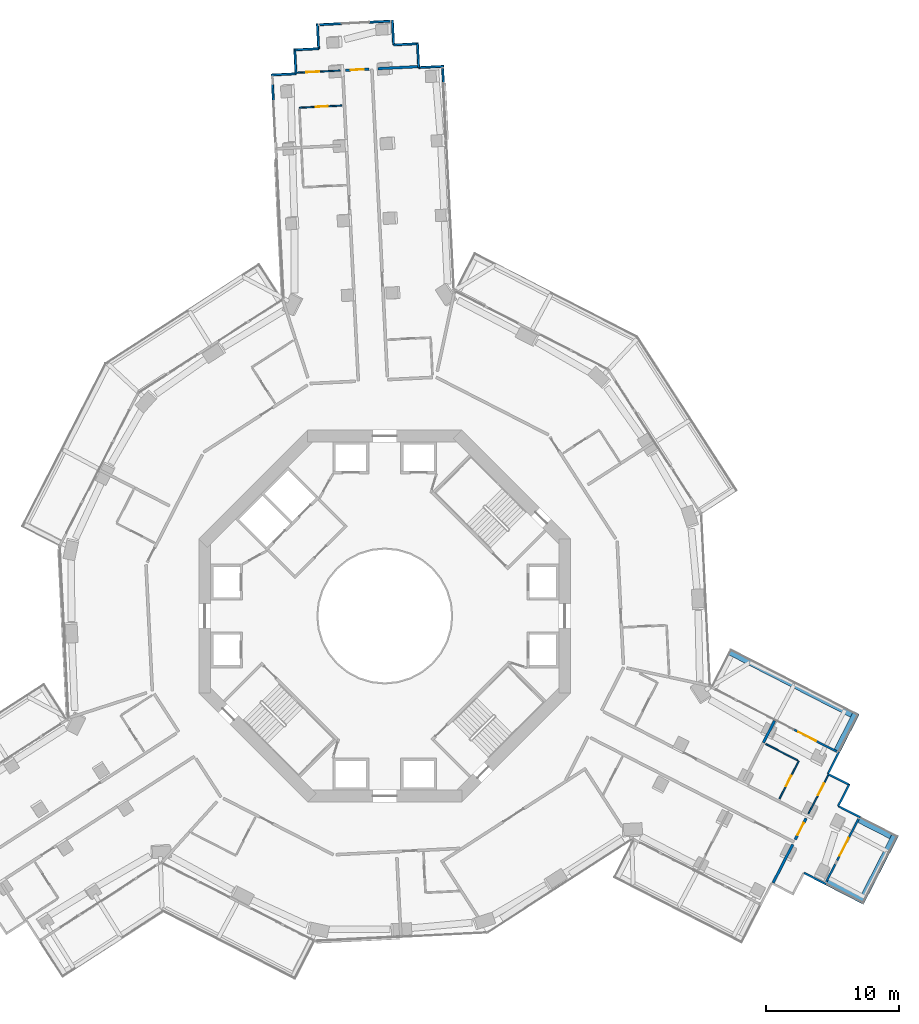
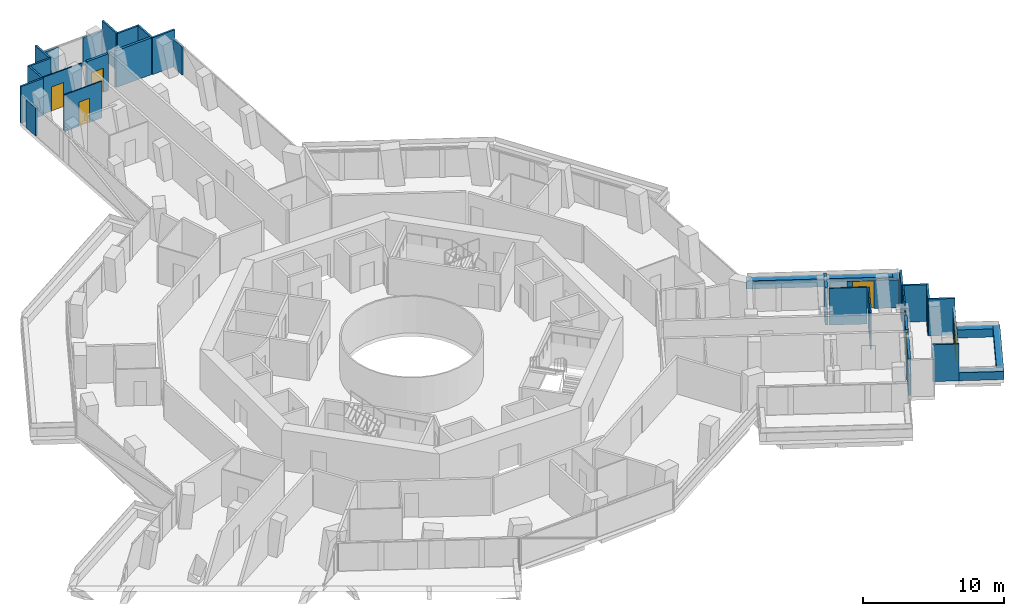
# One storey, part 22 of 25: 35 walls, 8 doors, 8 openings.
"""IFC4 building model written with IfcOpenShell, lengths in metres."""

from ifc_helpers import new_model, si_unit, direction, frame, frame_2d, origin, place, context, subcontext, project, spatial, rectangle, extrude, material, layer, layer_set, type_object, element, fill, save


model = new_model("IFC4")

# Units and contexts
model_context = context("Model", 3, precision=1e-05, world=origin(), true_north=direction((0.0, 1.0)))
body_context = subcontext(model_context, "Body", "Model", "MODEL_VIEW")
ifc_project = project(units=[si_unit("LENGTHUNIT", "METRE"), si_unit("AREAUNIT", "SQUARE_METRE"), si_unit("VOLUMEUNIT", "CUBIC_METRE"), si_unit("PLANEANGLEUNIT", "RADIAN"), si_unit("MASSUNIT", "GRAM", prefix="KILO")], contexts=[model_context])

# Site, building, storey
site_placement = place(None, origin())
site = spatial("IfcSite", under=ifc_project, at=site_placement, CompositionType="ELEMENT")
building_placement = place(site_placement, origin())
building = spatial("IfcBuilding", under=site, at=building_placement, Name="Verdalira Terraces Hotel", CompositionType="ELEMENT")
storey_placement = place(building_placement, frame((0.0, 0.0, 46.0)))
storey = spatial("IfcBuildingStorey", under=building, at=storey_placement, Name="L09", CompositionType="ELEMENT", Elevation=46.0)

# Walls
ifc_material_1 = material(Name="Concrete C40", Category="concrete")
ifc_layer_1 = layer(ifc_material_1, 0.5)
ifc_layer_set_1 = layer_set([ifc_layer_1], Name="Balcony planter trough with tree")
wall_type_1 = type_object("IfcWallType", Name="Balcony planter trough with tree", PredefinedType="SOLIDWALL", material=ifc_layer_set_1)
wall_1_placement = place(storey_placement, frame((33.307861, -20.036621, 0.0), z_axis=(0.0, 0.0, 1.0), x_axis=(0.890050162, -0.455862598, 0.0)))
element("IfcWall", 1, at=wall_1_placement, inside=storey, type_object=wall_type_1, Name="Balcony planter", PredefinedType="SOLIDWALL", context=body_context, shape_type="SweptSolid", body=[
    extrude(rectangle(XDim=3.198975, YDim=0.5, at=frame_2d((1.599609, 0.0))), origin(), (0.0, 0.0, 1.0), 0.699951),
])
wall_2_placement = place(storey_placement, frame((36.046631, -21.158203, 0.0), z_axis=(0.0, 0.0, 1.0), x_axis=(0.455852729, 0.890055217, 0.0)))
element("IfcWall", 2, at=wall_2_placement, inside=storey, type_object=wall_type_1, Name="Balcony planter", PredefinedType="SOLIDWALL", context=body_context, shape_type="SweptSolid", body=[
    extrude(rectangle(XDim=5.300049, YDim=0.5, at=frame_2d((2.649902, 0.0))), origin(), (0.0, 0.0, 1.0), 0.699951),
])
wall_3_placement = place(storey_placement, frame((38.126221, -16.549561, 0.0), z_axis=(0.0, 0.0, 1.0), x_axis=(-0.890080064, 0.455804212, 0.0)))
element("IfcWall", 3, at=wall_3_placement, inside=storey, type_object=wall_type_1, Name="Balcony planter", PredefinedType="SOLIDWALL", context=body_context, shape_type="SweptSolid", body=[
    extrude(rectangle(XDim=2.698975, YDim=0.5, at=frame_2d((1.349609, 0.0))), origin(), (0.0, 0.0, 1.0), 0.699951),
])
wall_4_placement = place(storey_placement, frame((34.051758, -10.13623, 0.0), z_axis=(0.0, 0.0, 1.0), x_axis=(0.455831634, 0.890066021, 0.0)))
element("IfcWall", 4, at=wall_4_placement, inside=storey, type_object=wall_type_1, Name="Balcony planter", PredefinedType="SOLIDWALL", context=body_context, shape_type="SweptSolid", body=[
    extrude(rectangle(XDim=3.199219, YDim=0.5, at=frame_2d((1.599609, 0.0))), origin(), (0.0, 0.0, 1.0), 0.699951),
])
wall_5_placement = place(storey_placement, frame((35.173584, -7.397461, 0.0), z_axis=(0.0, 0.0, 1.0), x_axis=(-0.890045915, 0.45587089, 0.0)))
element("IfcWall", 5, at=wall_5_placement, inside=storey, type_object=wall_type_1, Name="Balcony planter", PredefinedType="SOLIDWALL", context=body_context, shape_type="SweptSolid", body=[
    extrude(rectangle(XDim=10.420166, YDim=0.5, at=frame_2d((5.209961, 0.0))), origin(), (0.0, 0.0, 1.0), 0.699951),
])

# Wall, opening, door
ifc_material_2 = material(Name="Moisture-resistant gypsum board partition")
ifc_layer_2 = layer(ifc_material_2, 0.10009765625)
ifc_layer_set_2 = layer_set([ifc_layer_2], Name="Bathroom partition 100 mm")
wall_type_2 = type_object("IfcWallType", Name="Bathroom partition 100 mm", PredefinedType="PARTITIONING", material=ifc_layer_set_2)
wall_6_placement = place(storey_placement, frame((-3.367188, 41.061279, 0.0), z_axis=(0.0, 0.0, 1.0), x_axis=(-0.998734302, -0.050297052, 0.0)))
wall_6 = element("IfcWall", 6, at=wall_6_placement, inside=storey, type_object=wall_type_2, Name="Bathroom partition", PredefinedType="PARTITIONING", context=body_context, shape_type="SweptSolid", body=[
    extrude(rectangle(XDim=3.252197, YDim=0.100098, at=frame_2d((1.625977, 0.0))), origin(), (0.0, 0.0, 1.0), 3.189941),
])
opening_1_placement = place(wall_6_placement, frame((1.550049, 0.0, 0.0)))
opening_1 = element("IfcOpeningElement", 7, at=opening_1_placement, cuts=wall_6, Name="Opening L09-104", PredefinedType="OPENING", context=body_context, shape_type="SweptSolid", body=[
    extrude(rectangle(XDim=1.0, YDim=2.100098, at=frame_2d((0.5, 1.050049))), frame((0.0, 0.060059, 0.0), z_axis=(0.0, -1.0, 0.0), x_axis=(1.0, 0.0, 0.0)), (0.0, 0.0, 1.0), 0.120117),
])
ifc_material_3 = material(Name="Timber door", Category="wood")
door_type_1 = type_object("IfcDoorType", Name="Suite internal door 1000 x 2100", OperationType="NOTDEFINED", PredefinedType="DOOR", material=ifc_material_3)
door_1_placement = place(opening_1_placement, origin())
door_1 = element("IfcDoor", 8, at=door_1_placement, inside=storey, type_object=door_type_1, Name="Suite internal door 0902", OperationType="SINGLE_SWING_LEFT", OverallHeight=2.10009765625, OverallWidth=1.0, PredefinedType="DOOR", context=body_context, shape_type="SweptSolid", body=[
    extrude(rectangle(XDim=1.0, YDim=2.100098, at=frame_2d((0.5, 1.050049))), frame((0.0, 0.024902, 0.0), z_axis=(0.0, -1.0, 0.0), x_axis=(1.0, 0.0, 0.0)), (0.0, 0.0, 1.0), 0.050049),
])
fill(opening_1, door_1)

wall_7_placement = place(storey_placement, frame((-3.234619, 38.424561, 0.0), z_axis=(0.0, 0.0, 1.0), x_axis=(-0.998735349, -0.050276266, 0.0)))
wall_7 = element("IfcWall", 9, at=wall_7_placement, inside=storey, type_object=wall_type_2, Name="Bathroom partition", PredefinedType="PARTITIONING", context=body_context, shape_type="SweptSolid", body=[
    extrude(rectangle(XDim=3.200195, YDim=0.100098, at=frame_2d((1.600098, 0.0))), origin(), (0.0, 0.0, 1.0), 3.189941),
])
opening_2_placement = place(wall_7_placement, frame((1.050049, 0.0, 0.0)))
opening_2 = element("IfcOpeningElement", 10, at=opening_2_placement, cuts=wall_7, Name="Opening L09-105", PredefinedType="OPENING", context=body_context, shape_type="SweptSolid", body=[
    extrude(rectangle(XDim=0.899902, YDim=2.100098, at=frame_2d((0.449951, 1.050049))), frame((0.0, 0.060059, 0.0), z_axis=(0.0, -1.0, 0.0), x_axis=(1.0, 0.0, 0.0)), (0.0, 0.0, 1.0), 0.120117),
])
ifc_material_4 = material(Name="Timber door", Category="wood")
door_type_2 = type_object("IfcDoorType", Name="Bathroom door 900 x 2100", OperationType="NOTDEFINED", PredefinedType="DOOR", material=ifc_material_4)
door_2_placement = place(opening_2_placement, origin())
door_2 = element("IfcDoor", 11, at=door_2_placement, inside=storey, type_object=door_type_2, Name="Bathroom door 0902", OperationType="SINGLE_SWING_RIGHT", OverallHeight=2.10009765625, OverallWidth=0.89990234375, PredefinedType="DOOR", context=body_context, shape_type="SweptSolid", body=[
    extrude(rectangle(XDim=0.899902, YDim=2.100098, at=frame_2d((0.449951, 1.050049))), frame((0.0, 0.024902, 0.0), z_axis=(0.0, -1.0, 0.0), x_axis=(1.0, 0.0, 0.0)), (0.0, 0.0, 1.0), 0.050049),
])
fill(opening_2, door_2)

# Wall
wall_8_placement = place(storey_placement, frame((31.083496, -10.864014, 0.0), z_axis=(0.0, 0.0, 1.0), x_axis=(-0.890063051, 0.455837432, 0.0)))
element("IfcWall", 12, at=wall_8_placement, inside=storey, type_object=wall_type_2, Name="Bathroom partition", PredefinedType="PARTITIONING", context=body_context, shape_type="SweptSolid", body=[
    extrude(rectangle(XDim=2.699951, YDim=0.100098, at=frame_2d((1.350098, 0.0))), origin(), (0.0, 0.0, 1.0), 3.189941),
])

# Wall, opening, door
wall_9_placement = place(storey_placement, frame((29.713867, -13.757812, 0.0), z_axis=(0.0, 0.0, 1.0), x_axis=(0.455859654, 0.89005167, 0.0)))
wall_9 = element("IfcWall", 13, at=wall_9_placement, inside=storey, type_object=wall_type_2, Name="Bathroom partition", PredefinedType="PARTITIONING", context=body_context, shape_type="SweptSolid", body=[
    extrude(rectangle(XDim=3.199951, YDim=0.100098, at=frame_2d((1.600098, 0.0))), origin(), (0.0, 0.0, 1.0), 3.189941),
])
opening_3_placement = place(wall_9_placement, frame((1.050049, 0.0, 0.0)))
opening_3 = element("IfcOpeningElement", 14, at=opening_3_placement, cuts=wall_9, Name="Opening L09-126", PredefinedType="OPENING", context=body_context, shape_type="SweptSolid", body=[
    extrude(rectangle(XDim=0.899902, YDim=2.100098, at=frame_2d((0.449951, 1.050049))), frame((0.0, 0.060059, 0.0), z_axis=(0.0, -1.0, 0.0), x_axis=(1.0, 0.0, 0.0)), (0.0, 0.0, 1.0), 0.120117),
])
door_3_placement = place(opening_3_placement, origin())
door_3 = element("IfcDoor", 15, at=door_3_placement, inside=storey, type_object=door_type_2, Name="Bathroom door 0912", OperationType="SINGLE_SWING_RIGHT", OverallHeight=2.10009765625, OverallWidth=0.89990234375, PredefinedType="DOOR", context=body_context, shape_type="SweptSolid", body=[
    extrude(rectangle(XDim=0.899902, YDim=2.100098, at=frame_2d((0.449951, 1.050049))), frame((0.0, 0.024902, 0.0), z_axis=(0.0, -1.0, 0.0), x_axis=(1.0, 0.0, 0.0)), (0.0, 0.0, 1.0), 0.050049),
])
fill(opening_3, door_3)

wall_10_placement = place(storey_placement, frame((31.90332, -14.879395, 0.0), z_axis=(0.0, 0.0, 1.0), x_axis=(0.455841057, 0.890061195, 0.0)))
wall_10 = element("IfcWall", 16, at=wall_10_placement, inside=storey, type_object=wall_type_2, Name="Bathroom partition", PredefinedType="PARTITIONING", context=body_context, shape_type="SweptSolid", body=[
    extrude(rectangle(XDim=3.251953, YDim=0.100098, at=frame_2d((1.625977, 0.0))), origin(), (0.0, 0.0, 1.0), 3.189941),
])
opening_4_placement = place(wall_10_placement, frame((1.550049, 0.0, 0.0)))
opening_4 = element("IfcOpeningElement", 17, at=opening_4_placement, cuts=wall_10, Name="Opening L09-125", PredefinedType="OPENING", context=body_context, shape_type="SweptSolid", body=[
    extrude(rectangle(XDim=1.0, YDim=2.100098, at=frame_2d((0.5, 1.050049))), frame((0.0, 0.060059, 0.0), z_axis=(0.0, -1.0, 0.0), x_axis=(1.0, 0.0, 0.0)), (0.0, 0.0, 1.0), 0.120117),
])
door_4_placement = place(opening_4_placement, origin())
door_4 = element("IfcDoor", 18, at=door_4_placement, inside=storey, type_object=door_type_1, Name="Suite internal door 0912", OperationType="SINGLE_SWING_LEFT", OverallHeight=2.10009765625, OverallWidth=1.0, PredefinedType="DOOR", context=body_context, shape_type="SweptSolid", body=[
    extrude(rectangle(XDim=1.0, YDim=2.100098, at=frame_2d((0.5, 1.050049))), frame((0.0, 0.024902, 0.0), z_axis=(0.0, -1.0, 0.0), x_axis=(1.0, 0.0, 0.0)), (0.0, 0.0, 1.0), 0.050049),
])
fill(opening_4, door_4)

# Walls
ifc_material_5 = material(Name="Fire-rated gypsum board wall")
ifc_layer_3 = layer(ifc_material_5, 0.199951171875)
ifc_layer_set_3 = layer_set([ifc_layer_3], Name="Demising wall 200 mm")
wall_type_3 = type_object("IfcWallType", Name="Demising wall 200 mm", PredefinedType="SOLIDWALL", material=ifc_layer_set_3)
wall_11_placement = place(storey_placement, frame((-0.523682, 41.204102, 0.0), z_axis=(0.0, 0.0, 1.0), x_axis=(0.998734445, 0.050294226, 0.0)))
element("IfcWall", 19, at=wall_11_placement, inside=storey, type_object=wall_type_3, Name="Demising wall", PredefinedType="SOLIDWALL", context=body_context, shape_type="SweptSolid", body=[
    extrude(rectangle(XDim=3.004883, YDim=0.199951, at=frame_2d((1.502441, 0.0))), origin(), (0.0, 0.0, 1.0), 3.189941),
])
wall_12_placement = place(storey_placement, frame((28.502197, -9.541992, 0.0), z_axis=(0.0, 0.0, 1.0), x_axis=(0.455954913, 0.890002875, 0.0)))
element("IfcWall", 20, at=wall_12_placement, inside=storey, type_object=wall_type_3, Name="Demising wall", PredefinedType="SOLIDWALL", context=body_context, shape_type="SweptSolid", body=[
    extrude(rectangle(XDim=1.850098, YDim=0.199951, at=frame_2d((0.925049, 0.0))), origin(), (0.0, 0.0, 1.0), 3.189941),
])
wall_13_placement = place(storey_placement, frame((30.718262, -17.193359, 0.0), z_axis=(0.0, 0.0, 1.0), x_axis=(-0.45587587, -0.890043365, 0.0)))
element("IfcWall", 21, at=wall_13_placement, inside=storey, type_object=wall_type_3, Name="Demising wall", PredefinedType="SOLIDWALL", context=body_context, shape_type="SweptSolid", body=[
    extrude(rectangle(XDim=3.250244, YDim=0.199951, at=frame_2d((1.625, 0.0))), origin(), (0.0, 0.0, 1.0), 3.189941),
])

# Wall, opening, door
ifc_material_6 = material(Name="Fire-rated gypsum board wall")
ifc_layer_4 = layer(ifc_material_6, 0.199951171875)
ifc_layer_set_4 = layer_set([ifc_layer_4], Name="Guest corridor wall 200 mm")
wall_type_4 = type_object("IfcWallType", Name="Guest corridor wall 200 mm", PredefinedType="SOLIDWALL", material=ifc_layer_set_4)
wall_14_placement = place(storey_placement, frame((-2.969727, 41.081299, 0.0), z_axis=(0.0, 0.0, 1.0), x_axis=(0.998742521, 0.050133596, 0.0)))
wall_14 = element("IfcWall", 22, at=wall_14_placement, inside=storey, type_object=wall_type_4, Name="Guest corridor wall", PredefinedType="SOLIDWALL", context=body_context, shape_type="SweptSolid", body=[
    extrude(rectangle(XDim=1.801758, YDim=0.199951, at=frame_2d((0.900879, 0.0))), origin(), (0.0, 0.0, 1.0), 3.189941),
])
opening_5_placement = place(wall_14_placement, frame((0.399902, 0.0, 0.0)))
opening_5 = element("IfcOpeningElement", 23, at=opening_5_placement, cuts=wall_14, Name="Opening L09-103", PredefinedType="OPENING", context=body_context, shape_type="SweptSolid", body=[
    extrude(rectangle(XDim=1.0, YDim=2.100098, at=frame_2d((0.5, 1.050049))), frame((0.0, 0.109863, 0.0), z_axis=(0.0, -1.0, 0.0), x_axis=(1.0, 0.0, 0.0)), (0.0, 0.0, 1.0), 0.219971),
])
ifc_material_7 = material(Name="Timber fire door", Category="wood")
door_type_3 = type_object("IfcDoorType", Name="Guest entry door 1000 x 2100", OperationType="NOTDEFINED", PredefinedType="DOOR", material=ifc_material_7)
door_5_placement = place(opening_5_placement, origin())
door_5 = element("IfcDoor", 24, at=door_5_placement, inside=storey, type_object=door_type_3, Name="Guest entry door 0902", OperationType="SINGLE_SWING_LEFT", OverallHeight=2.10009765625, OverallWidth=1.0, PredefinedType="DOOR", context=body_context, shape_type="SweptSolid", body=[
    extrude(rectangle(XDim=1.0, YDim=2.100098, at=frame_2d((0.5, 1.050049))), frame((0.0, 0.024902, 0.0), z_axis=(0.0, -1.0, 0.0), x_axis=(1.0, 0.0, 0.0)), (0.0, 0.0, 1.0), 0.050049),
])
fill(opening_5, door_5)

wall_15_placement = place(storey_placement, frame((31.721924, -15.233398, 0.0), z_axis=(0.0, 0.0, 1.0), x_axis=(-0.455800039, -0.890082201, 0.0)))
wall_15 = element("IfcWall", 25, at=wall_15_placement, inside=storey, type_object=wall_type_4, Name="Guest corridor wall", PredefinedType="SOLIDWALL", context=body_context, shape_type="SweptSolid", body=[
    extrude(rectangle(XDim=1.803955, YDim=0.199951, at=frame_2d((0.901855, 0.0))), origin(), (0.0, 0.0, 1.0), 3.189941),
])
opening_6_placement = place(wall_15_placement, frame((0.399902, 0.0, 0.0)))
opening_6 = element("IfcOpeningElement", 26, at=opening_6_placement, cuts=wall_15, Name="Opening L09-124", PredefinedType="OPENING", context=body_context, shape_type="SweptSolid", body=[
    extrude(rectangle(XDim=1.0, YDim=2.100098, at=frame_2d((0.5, 1.050049))), frame((0.0, 0.109863, 0.0), z_axis=(0.0, -1.0, 0.0), x_axis=(1.0, 0.0, 0.0)), (0.0, 0.0, 1.0), 0.219971),
])
door_6_placement = place(opening_6_placement, origin())
door_6 = element("IfcDoor", 27, at=door_6_placement, inside=storey, type_object=door_type_3, Name="Guest entry door 0912", OperationType="SINGLE_SWING_LEFT", OverallHeight=2.10009765625, OverallWidth=1.0, PredefinedType="DOOR", context=body_context, shape_type="SweptSolid", body=[
    extrude(rectangle(XDim=1.0, YDim=2.100098, at=frame_2d((0.5, 1.050049))), frame((0.0, 0.024902, 0.0), z_axis=(0.0, -1.0, 0.0), x_axis=(1.0, 0.0, 0.0)), (0.0, 0.0, 1.0), 0.050049),
])
fill(opening_6, door_6)

# Walls
ifc_material_8 = material(Name="Terracotta cladding", Category="masonry")
ifc_layer_5 = layer(ifc_material_8, 0.14990234375)
ifc_layer_set_5 = layer_set([ifc_layer_5], Name="Terracotta clad wall 150")
wall_type_5 = type_object("IfcWallType", Name="Terracotta clad wall 150", PredefinedType="SOLIDWALL", material=ifc_layer_set_5)
wall_16_placement = place(storey_placement, frame((4.426514, 41.378174, 0.0), z_axis=(0.0, 0.0, 1.0), x_axis=(-0.99873605, -0.050262336, 0.0)))
element("IfcWall", 28, at=wall_16_placement, inside=storey, type_object=wall_type_5, Name="Terracotta cladding wall", PredefinedType="SOLIDWALL", context=body_context, shape_type="SweptSolid", body=[
    extrude(rectangle(XDim=1.875, YDim=0.149902, at=frame_2d((0.9375, 0.0))), origin(), (0.0, 0.0, 1.0), 3.189941),
])
wall_17_placement = place(storey_placement, frame((2.553955, 41.283936, 0.0), z_axis=(0.0, 0.0, 1.0), x_axis=(-0.050316413, 0.998733327, 0.0)))
element("IfcWall", 29, at=wall_17_placement, inside=storey, type_object=wall_type_5, Name="Terracotta cladding wall", PredefinedType="SOLIDWALL", context=body_context, shape_type="SweptSolid", body=[
    extrude(rectangle(XDim=1.800049, YDim=0.149902, at=frame_2d((0.899902, 0.0))), origin(), (0.0, 0.0, 1.0), 3.189941),
])
wall_18_placement = place(storey_placement, frame((2.53833, 43.085449, 0.0), z_axis=(0.0, 0.0, 1.0), x_axis=(-0.99873605, -0.050262336, 0.0)))
element("IfcWall", 30, at=wall_18_placement, inside=storey, type_object=wall_type_5, Name="Terracotta cladding wall", PredefinedType="SOLIDWALL", context=body_context, shape_type="SweptSolid", body=[
    extrude(rectangle(XDim=1.875, YDim=0.149902, at=frame_2d((0.9375, 0.0))), origin(), (0.0, 0.0, 1.0), 3.189941),
])
for number, where, z_axis, x_axis, name in (
    (31, (0.665771, 42.991211, 0.0), (0.0, 0.0, 1.0), (-0.0502558, 0.998736379, 0.0), "Terracotta cladding wall"),
    (32, (-5.071289, 44.580078, 0.0), (0.0, 0.0, 1.0), (0.0502558, -0.998736379, 0.0), "Terracotta cladding wall"),
):
    element("IfcWall", number, at=place(storey_placement, frame(where, z_axis=z_axis, x_axis=x_axis)), inside=storey, type_object=wall_type_5, Name=name, PredefinedType="SOLIDWALL", context=body_context, shape_type="SweptSolid", body=[
        extrude(rectangle(XDim=1.875244, YDim=0.149902, at=frame_2d((0.9375, 0.0))), origin(), (0.0, 0.0, 1.0), 3.189941),
    ])
wall_19_placement = place(storey_placement, frame((-4.977051, 42.707275, 0.0), z_axis=(0.0, 0.0, 1.0), x_axis=(-0.998740133, -0.050181131, 0.0)))
element("IfcWall", 33, at=wall_19_placement, inside=storey, type_object=wall_type_5, Name="Terracotta cladding wall", PredefinedType="SOLIDWALL", context=body_context, shape_type="SweptSolid", body=[
    extrude(rectangle(XDim=1.800049, YDim=0.149902, at=frame_2d((0.899902, 0.0))), origin(), (0.0, 0.0, 1.0), 3.189941),
])
wall_20_placement = place(storey_placement, frame((-6.778564, 42.691895, 0.0), z_axis=(0.0, 0.0, 1.0), x_axis=(0.050262336, -0.99873605, 0.0)))
element("IfcWall", 34, at=wall_20_placement, inside=storey, type_object=wall_type_5, Name="Terracotta cladding wall", PredefinedType="SOLIDWALL", context=body_context, shape_type="SweptSolid", body=[
    extrude(rectangle(XDim=1.875, YDim=0.149902, at=frame_2d((0.9375, 0.0))), origin(), (0.0, 0.0, 1.0), 3.189941),
])
wall_21_placement = place(storey_placement, frame((-6.684326, 40.819336, 0.0), z_axis=(0.0, 0.0, 1.0), x_axis=(-0.998736379, -0.0502558, 0.0)))
element("IfcWall", 35, at=wall_21_placement, inside=storey, type_object=wall_type_5, Name="Terracotta cladding wall", PredefinedType="SOLIDWALL", context=body_context, shape_type="SweptSolid", body=[
    extrude(rectangle(XDim=1.875244, YDim=0.149902, at=frame_2d((0.9375, 0.0))), origin(), (0.0, 0.0, 1.0), 3.189941),
])
wall_22_placement = place(storey_placement, frame((31.55835, -19.337158, 0.0), z_axis=(0.0, 0.0, 1.0), x_axis=(0.890035633, -0.455890966, 0.0)))
element("IfcWall", 36, at=wall_22_placement, inside=storey, type_object=wall_type_5, Name="Terracotta cladding wall", PredefinedType="SOLIDWALL", context=body_context, shape_type="SweptSolid", body=[
    extrude(rectangle(XDim=1.874756, YDim=0.149902, at=frame_2d((0.9375, 0.0))), origin(), (0.0, 0.0, 1.0), 3.189941),
])
wall_23_placement = place(storey_placement, frame((35.802734, -15.163086, 0.0), z_axis=(0.0, 0.0, 1.0), x_axis=(-0.890062692, 0.455838134, 0.0)))
element("IfcWall", 37, at=wall_23_placement, inside=storey, type_object=wall_type_5, Name="Terracotta cladding wall", PredefinedType="SOLIDWALL", context=body_context, shape_type="SweptSolid", body=[
    extrude(rectangle(XDim=1.875, YDim=0.149902, at=frame_2d((0.9375, 0.0))), origin(), (0.0, 0.0, 1.0), 3.189941),
])
wall_24_placement = place(storey_placement, frame((34.133789, -14.30835, 0.0), z_axis=(0.0, 0.0, 1.0), x_axis=(0.455873249, 0.890044707, 0.0)))
element("IfcWall", 38, at=wall_24_placement, inside=storey, type_object=wall_type_5, Name="Terracotta cladding wall", PredefinedType="SOLIDWALL", context=body_context, shape_type="SweptSolid", body=[
    extrude(rectangle(XDim=1.800049, YDim=0.149902, at=frame_2d((0.899902, 0.0))), origin(), (0.0, 0.0, 1.0), 3.189941),
])
for number, where, z_axis, x_axis, name in (
    (39, (35.02124, -12.740479, 0.0), (0.0, 0.0, 1.0), (-0.890062692, 0.455838134, 0.0), "Terracotta cladding wall"),
    (40, (33.352295, -11.885742, 0.0), (0.0, 0.0, 1.0), (0.455838134, 0.890062692, 0.0), "Terracotta cladding wall"),
):
    element("IfcWall", number, at=place(storey_placement, frame(where, z_axis=z_axis, x_axis=x_axis)), inside=storey, type_object=wall_type_5, Name=name, PredefinedType="SOLIDWALL", context=body_context, shape_type="SweptSolid", body=[
        extrude(rectangle(XDim=1.875, YDim=0.149902, at=frame_2d((0.9375, 0.0))), origin(), (0.0, 0.0, 1.0), 3.189941),
    ])
ifc_material_9 = material(Name="Terracotta cladding", Category="masonry")
ifc_layer_6 = layer(ifc_material_9, 0.14990234375)
ifc_layer_set_6 = layer_set([ifc_layer_6], Name="Terracotta column pier 150")
wall_type_6 = type_object("IfcWallType", Name="Terracotta column pier 150", PredefinedType="SOLIDWALL", material=ifc_layer_set_6)
wall_25_placement = place(storey_placement, frame((4.414795, 40.118164, 0.0), z_axis=(0.0, 0.0, 1.0), x_axis=(-0.050244017, 0.998736972, 0.0)))
element("IfcWall", 41, at=wall_25_placement, inside=storey, type_object=wall_type_6, Name="Terracotta column pier", PredefinedType="SOLIDWALL", context=body_context, shape_type="SweptSolid", body=[
    extrude(rectangle(XDim=1.112793, YDim=0.149902, at=frame_2d((0.556396, 0.0))), origin(), (0.0, 0.0, 1.0), 2.425049),
])
wall_26_placement = place(storey_placement, frame((0.42041, 44.78125, 0.0), z_axis=(0.0, 0.0, 1.0), x_axis=(-0.998733137, -0.050320195, 0.0)))
element("IfcWall", 42, at=wall_26_placement, inside=storey, type_object=wall_type_6, Name="Terracotta column pier", PredefinedType="SOLIDWALL", context=body_context, shape_type="SweptSolid", body=[
    extrude(rectangle(XDim=1.591309, YDim=0.149902, at=frame_2d((0.795654, 0.0))), origin(), (0.0, 0.0, 1.0), 2.425049),
])
wall_27_placement = place(storey_placement, frame((-3.234863, 44.597412, 0.0), z_axis=(0.0, 0.0, 1.0), x_axis=(-0.998735249, -0.050278248, 0.0)))
element("IfcWall", 43, at=wall_27_placement, inside=storey, type_object=wall_type_6, Name="Terracotta column pier", PredefinedType="SOLIDWALL", context=body_context, shape_type="SweptSolid", body=[
    extrude(rectangle(XDim=1.680176, YDim=0.149902, at=frame_2d((0.840088, 0.0))), origin(), (0.0, 0.0, 1.0), 2.425049),
])
wall_28_placement = place(storey_placement, frame((-8.445557, 40.004639, 0.0), z_axis=(0.0, 0.0, 1.0), x_axis=(0.050212605, -0.998738552, 0.0)))
element("IfcWall", 44, at=wall_28_placement, inside=storey, type_object=wall_type_6, Name="Terracotta column pier", PredefinedType="SOLIDWALL", context=body_context, shape_type="SweptSolid", body=[
    extrude(rectangle(XDim=1.239746, YDim=0.149902, at=frame_2d((0.619873, 0.0))), origin(), (0.0, 0.0, 1.0), 2.425049),
])
wall_29_placement = place(storey_placement, frame((33.230957, -20.019775, 0.0), z_axis=(0.0, 0.0, 1.0), x_axis=(0.455850714, 0.890056249, 0.0)))
element("IfcWall", 45, at=wall_29_placement, inside=storey, type_object=wall_type_6, Name="Terracotta column pier", PredefinedType="SOLIDWALL", context=body_context, shape_type="SweptSolid", body=[
    extrude(rectangle(XDim=1.500244, YDim=0.149902, at=frame_2d((0.75, 0.0))), origin(), (0.0, 0.0, 1.0), 2.425049),
])

# Wall, opening, door
ifc_material_10 = material(Name="Terracotta cladding", Category="masonry")
ifc_layer_7 = layer(ifc_material_10, 0.14990234375)
ifc_layer_set_7 = layer_set([ifc_layer_7], Name="Terracotta door pier 150")
wall_type_7 = type_object("IfcWallType", Name="Terracotta door pier 150", PredefinedType="SOLIDWALL", material=ifc_layer_set_7)
wall_30_placement = place(storey_placement, frame((34.056152, -18.408691, 0.0), z_axis=(0.0, 0.0, 1.0), x_axis=(0.455851816, 0.890055685, 0.0)))
wall_30 = element("IfcWall", 46, at=wall_30_placement, inside=storey, type_object=wall_type_7, Name="Terracotta door pier", PredefinedType="SOLIDWALL", context=body_context, shape_type="SweptSolid", body=[
    extrude(rectangle(XDim=3.530029, YDim=0.149902, at=frame_2d((1.765137, 0.0))), origin(), (0.0, 0.0, 1.0), 2.425049),
])
opening_7_placement = place(wall_30_placement, frame((0.399902, 0.0, 0.0)))
opening_7 = element("IfcOpeningElement", 47, at=opening_7_placement, cuts=wall_30, Name="Opening L09-B14", PredefinedType="OPENING", context=body_context, shape_type="SweptSolid", body=[
    extrude(rectangle(XDim=1.5, YDim=2.399902, at=frame_2d((0.75, 1.199951))), frame((0.0, 0.084961, 0.0), z_axis=(0.0, -1.0, 0.0), x_axis=(1.0, 0.0, 0.0)), (0.0, 0.0, 1.0), 0.169922),
])
ifc_material_11 = material(Name="Clear glass", Category="glass")
door_type_4 = type_object("IfcDoorType", Name="Balcony sliding door 1500x2400", OperationType="NOTDEFINED", PredefinedType="DOOR", material=ifc_material_11)
door_7_placement = place(opening_7_placement, origin())
door_7 = element("IfcDoor", 48, at=door_7_placement, inside=storey, type_object=door_type_4, Name="Balcony sliding door", OperationType="SLIDING_TO_RIGHT", OverallHeight=2.39990234375, OverallWidth=1.5, PredefinedType="DOOR", context=body_context, shape_type="SweptSolid", body=[
    extrude(rectangle(XDim=1.5, YDim=2.399902, at=frame_2d((0.75, 1.199951))), frame((0.0, 0.024902, 0.0), z_axis=(0.0, -1.0, 0.0), x_axis=(1.0, 0.0, 0.0)), (0.0, 0.0, 1.0), 0.050049),
])
fill(opening_7, door_7)

wall_31_placement = place(storey_placement, frame((34.043945, -10.217529, 0.0), z_axis=(0.0, 0.0, 1.0), x_axis=(-0.890048631, 0.455865589, 0.0)))
wall_31 = element("IfcWall", 49, at=wall_31_placement, inside=storey, type_object=wall_type_7, Name="Terracotta door pier", PredefinedType="SOLIDWALL", context=body_context, shape_type="SweptSolid", body=[
    extrude(rectangle(XDim=3.670654, YDim=0.149902, at=frame_2d((1.835449, 0.0))), origin(), (0.0, 0.0, 1.0), 2.425049),
])
opening_8_placement = place(wall_31_placement, frame((1.770752, 0.0, 0.0)))
opening_8 = element("IfcOpeningElement", 50, at=opening_8_placement, cuts=wall_31, Name="Opening L09-B15", PredefinedType="OPENING", context=body_context, shape_type="SweptSolid", body=[
    extrude(rectangle(XDim=1.5, YDim=2.399902, at=frame_2d((0.75, 1.199951))), frame((0.0, 0.084961, 0.0), z_axis=(0.0, -1.0, 0.0), x_axis=(1.0, 0.0, 0.0)), (0.0, 0.0, 1.0), 0.169922),
])
door_8_placement = place(opening_8_placement, origin())
door_8 = element("IfcDoor", 51, at=door_8_placement, inside=storey, type_object=door_type_4, Name="Balcony sliding door", OperationType="SLIDING_TO_LEFT", OverallHeight=2.39990234375, OverallWidth=1.5, PredefinedType="DOOR", context=body_context, shape_type="SweptSolid", body=[
    extrude(rectangle(XDim=1.5, YDim=2.399902, at=frame_2d((0.75, 1.199951))), frame((0.0, 0.024902, 0.0), z_axis=(0.0, -1.0, 0.0), x_axis=(1.0, 0.0, 0.0)), (0.0, 0.0, 1.0), 0.050049),
])
fill(opening_8, door_8)

save(model, "model.ifc")
